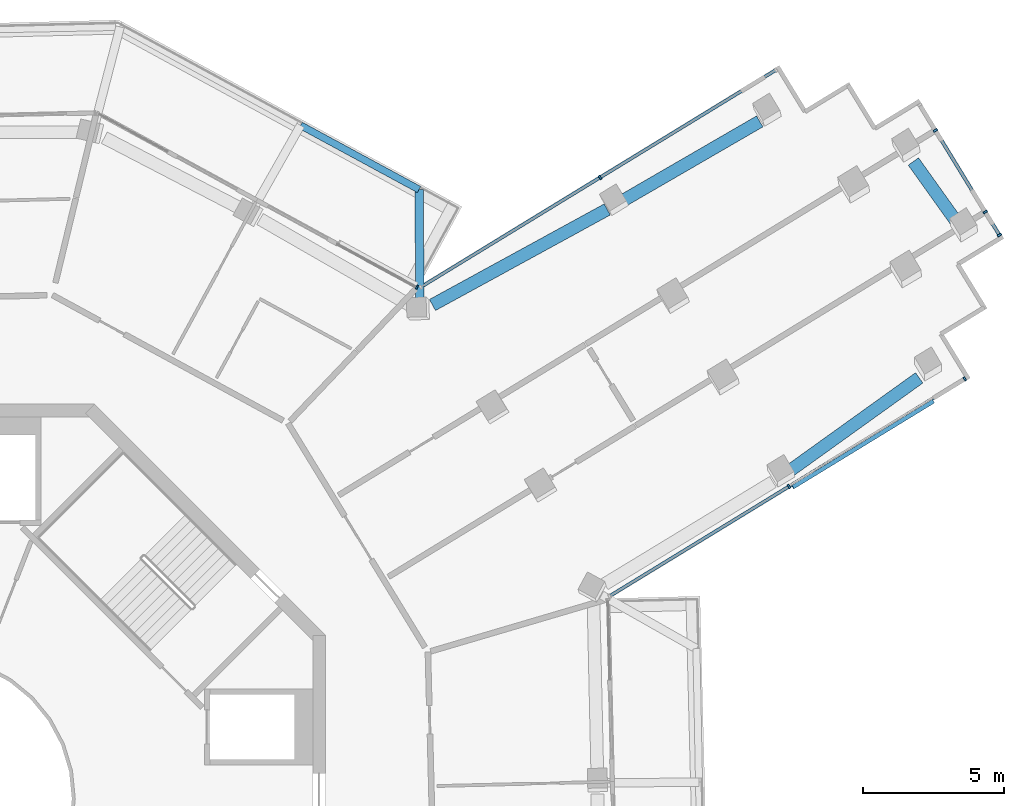
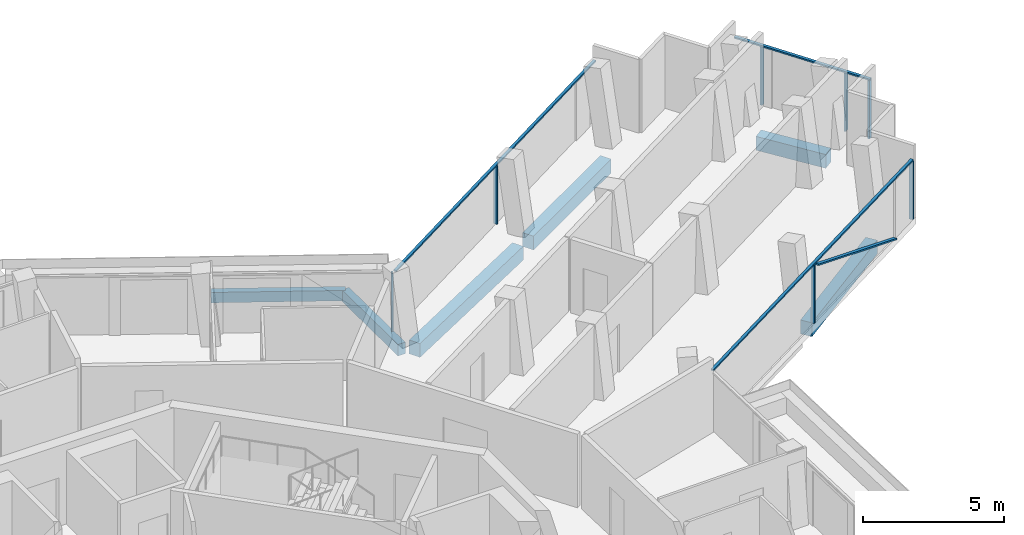
# One storey, part 9 of 26: 11 members, 6 beams, 4 elements without a shape of their own.
"""IFC4 building model written with IfcOpenShell, lengths in metres."""

from ifc_helpers import new_model, si_unit, direction, frame, origin, origin_2d, place, context, subcontext, project, spatial, rectangle, extrude, material, layer, layer_set, material_profile, profile_set, type_object, element, aggregate, save


model = new_model("IFC4")

# Units and contexts
model_context = context("Model", 3, precision=1e-05, world=origin(), true_north=direction((0.0, 1.0)))
body_context = subcontext(model_context, "Body", "Model", "MODEL_VIEW")
ifc_project = project(units=[si_unit("LENGTHUNIT", "METRE"), si_unit("AREAUNIT", "SQUARE_METRE"), si_unit("VOLUMEUNIT", "CUBIC_METRE"), si_unit("PLANEANGLEUNIT", "RADIAN"), si_unit("MASSUNIT", "GRAM", prefix="KILO")], contexts=[model_context])

# Site, building, storey
site_placement = place(None, origin())
site = spatial("IfcSite", under=ifc_project, at=site_placement, CompositionType="ELEMENT")
building_placement = place(site_placement, origin())
building = spatial("IfcBuilding", under=site, at=building_placement, Name="Verdalira Terraces Hotel", CompositionType="ELEMENT")
storey_placement = place(building_placement, frame((0.0, 0.0, 284.5)))
storey = spatial("IfcBuildingStorey", under=building, at=storey_placement, Name="L70", CompositionType="ELEMENT", Elevation=284.5)

# Beams
ifc_material_1 = material(Name="Concrete C40", Category="concrete")
ifc_material_profile_1 = material_profile(ifc_material_1, rectangle(XDim=0.300049, YDim=0.5, at=origin_2d()), Name="RC 300X500")
ifc_profile_set_1 = profile_set([ifc_material_profile_1], Name="Concrete C40")
beam_type_1 = type_object("IfcBeamType", Name="Balcony cantilever beam RC 300X500 C40", PredefinedType="BEAM", material=ifc_profile_set_1)
beam_1_placement = place(storey_placement, frame((17.350586, 17.668701, -0.560059), z_axis=(-0.008405661, 0.999964672, 0.0), x_axis=(-0.999964672, -0.008405661, 0.0)))
element("IfcBeam", 1, at=beam_1_placement, inside=storey, type_object=beam_type_1, Name="Balcony cantilever beam R39-1", PredefinedType="BEAM", context=body_context, shape_type="SweptSolid", body=[
    extrude(rectangle(XDim=0.300049, YDim=0.5, at=origin_2d()), origin(), (0.0, 0.0, 1.0), 3.950195),
])
ifc_material_2 = material(Name="Concrete C40", Category="concrete")
ifc_material_profile_2 = material_profile(ifc_material_2, rectangle(XDim=0.25, YDim=0.449951, at=origin_2d()), Name="RC 250X450")
ifc_profile_set_2 = profile_set([ifc_material_profile_2], Name="Concrete C40")
beam_type_2 = type_object("IfcBeamType", Name="Balcony edge beam RC 250X450 C40", PredefinedType="BEAM", material=ifc_profile_set_2)
beam_2_placement = place(storey_placement, frame((17.317383, 21.618652, -0.534912), z_axis=(-0.879176954, 0.476495417, 0.0), x_axis=(-0.476495417, -0.879176954, 0.0)))
element("IfcBeam", 2, at=beam_2_placement, inside=storey, type_object=beam_type_2, Name="Balcony edge beam R39-1", PredefinedType="BEAM", context=body_context, shape_type="SweptSolid", body=[
    extrude(rectangle(XDim=0.25, YDim=0.449951, at=origin_2d()), origin(), (0.0, 0.0, 1.0), 4.779297),
])

# Curtain wall, member
ifc_material_3 = material(Name="Clear glass", Category="glass")
ifc_layer_1 = layer(ifc_material_3, 0.14990234375)
ifc_layer_set_1 = layer_set([ifc_layer_1], Name="CW1 curtain wall")
curtain_wall_type_1 = type_object("IfcCurtainWallType", Name="CW1 curtain wall", PredefinedType="NOTDEFINED", material=ifc_layer_set_1)
curtain_wall_1_placement = place(storey_placement, origin())
curtain_wall_1 = element("IfcCurtainWall", 3, at=curtain_wall_1_placement, inside=storey, type_object=curtain_wall_type_1, Name="CW1 curtain wall L70 edge 39", PredefinedType="NOTDEFINED")
ifc_material_4 = material(Name="Terracotta frame", Category="masonry")
ifc_material_profile_3 = material_profile(ifc_material_4, rectangle(XDim=0.060059, YDim=0.149902, at=origin_2d()), Name="MU 60x150")
ifc_profile_set_3 = profile_set([ifc_material_profile_3], Name="Terracotta frame")
member_type_1 = type_object("IfcMemberType", Name="CW1 mullion 60x150", PredefinedType="MULLION", material=ifc_profile_set_3)
member_1_placement = place(storey_placement, frame((17.244141, 18.147461, 0.0), z_axis=(0.0, 0.0, 1.0), x_axis=(-0.878316951, 0.478078794, 0.0)))
member_1 = element("IfcMember", 4, at=member_1_placement, type_object=member_type_1, Name="CW1 mullion", PredefinedType="MULLION", context=body_context, shape_type="SweptSolid", body=[
    extrude(rectangle(XDim=0.060059, YDim=0.149902, at=origin_2d()), origin(), (0.0, 0.0, 1.0), 2.524902),
])
aggregate(curtain_wall_1, [member_1])

# Curtain wall, members
ifc_material_5 = material(Name="Clear glass", Category="glass")
ifc_layer_2 = layer(ifc_material_5, 0.14990234375)
ifc_layer_set_2 = layer_set([ifc_layer_2], Name="CW2 curtain wall")
curtain_wall_type_2 = type_object("IfcCurtainWallType", Name="CW2 curtain wall", PredefinedType="NOTDEFINED", material=ifc_layer_set_2)
curtain_wall_2_placement = place(storey_placement, origin())
curtain_wall_2 = element("IfcCurtainWall", 5, at=curtain_wall_2_placement, inside=storey, type_object=curtain_wall_type_2, Name="CW2 curtain wall L70 edge 28", PredefinedType="NOTDEFINED")
ifc_material_6 = material(Name="Terracotta frame", Category="masonry")
ifc_material_profile_4 = material_profile(ifc_material_6, rectangle(XDim=0.070068, YDim=0.149902, at=origin_2d()), Name="MU 70x150")
ifc_profile_set_4 = profile_set([ifc_material_profile_4], Name="Terracotta frame")
member_type_2 = type_object("IfcMemberType", Name="CW2 mullion 70x150", PredefinedType="MULLION", material=ifc_profile_set_4)
member_2_placement = place(storey_placement, frame((30.445312, 11.08252, 0.0), z_axis=(0.0, 0.0, 1.0), x_axis=(0.853186856, 0.521605396, 0.0)))
member_2 = element("IfcMember", 6, at=member_2_placement, type_object=member_type_2, Name="CW2 mullion", PredefinedType="MULLION", context=body_context, shape_type="SweptSolid", body=[
    extrude(rectangle(XDim=0.070068, YDim=0.149902, at=origin_2d()), origin(), (0.0, 0.0, 1.0), 2.524902),
])
member_3_placement = place(storey_placement, frame((36.68457, 14.896973, 0.0), z_axis=(0.0, 0.0, 1.0), x_axis=(0.853186856, 0.521605396, 0.0)))
member_3 = element("IfcMember", 7, at=member_3_placement, type_object=member_type_2, Name="CW2 mullion", PredefinedType="MULLION", context=body_context, shape_type="SweptSolid", body=[
    extrude(rectangle(XDim=0.070068, YDim=0.149902, at=origin_2d()), origin(), (0.0, 0.0, 1.0), 2.524902),
])

# Curtain wall, member
curtain_wall_3_placement = place(storey_placement, origin())
curtain_wall_3 = element("IfcCurtainWall", 8, at=curtain_wall_3_placement, inside=storey, type_object=curtain_wall_type_2, Name="CW2 curtain wall L70 edge 38", PredefinedType="NOTDEFINED")
member_4_placement = place(storey_placement, frame((23.742676, 22.045898, 0.0), z_axis=(0.0, 0.0, 1.0), x_axis=(-0.853186856, -0.521605396, 0.0)))
member_4 = element("IfcMember", 9, at=member_4_placement, type_object=member_type_2, Name="CW2 mullion", PredefinedType="MULLION", context=body_context, shape_type="SweptSolid", body=[
    extrude(rectangle(XDim=0.070068, YDim=0.149902, at=origin_2d()), origin(), (0.0, 0.0, 1.0), 2.524902),
])

# Member
ifc_material_7 = material(Name="Terracotta frame", Category="masonry")
ifc_material_profile_5 = material_profile(ifc_material_7, rectangle(XDim=0.11499, YDim=0.064941, at=origin_2d()), Name="TR 65x115")
ifc_profile_set_5 = profile_set([ifc_material_profile_5], Name="Terracotta frame")
member_type_3 = type_object("IfcMemberType", Name="CW2 transom 65x115", PredefinedType="USERDEFINED", material=ifc_profile_set_5)
member_5_placement = place(storey_placement, frame((24.048096, 7.171631, 2.557617), z_axis=(0.853187103, 0.521604991, 0.0), x_axis=(-0.521604991, 0.853187103, 0.0)))
member_5 = element("IfcMember", 10, at=member_5_placement, type_object=member_type_3, Name="CW2 transom", ObjectType="TRANSOM", PredefinedType="USERDEFINED", context=body_context, shape_type="SweptSolid", body=[
    extrude(rectangle(XDim=0.11499, YDim=0.064941, at=origin_2d()), origin(), (0.0, 0.0, 1.0), 14.845703),
])

member_6_placement = place(storey_placement, frame((30.011719, 25.878662, 2.557617), z_axis=(-0.853187103, -0.521604991, 0.0), x_axis=(0.521604991, -0.853187103, 0.0)))
member_6 = element("IfcMember", 11, at=member_6_placement, type_object=member_type_3, Name="CW2 transom", ObjectType="TRANSOM", PredefinedType="USERDEFINED", context=body_context, shape_type="SweptSolid", body=[
    extrude(rectangle(XDim=0.11499, YDim=0.064941, at=origin_2d()), origin(), (0.0, 0.0, 1.0), 14.845703),
])

aggregate(curtain_wall_3, [member_4, member_6])

# Curtain wall, members
ifc_material_8 = material(Name="Clear glass", Category="glass")
ifc_layer_3 = layer(ifc_material_8, 0.14990234375)
ifc_layer_set_3 = layer_set([ifc_layer_3], Name="CW3 curtain wall")
curtain_wall_type_3 = type_object("IfcCurtainWallType", Name="CW3 curtain wall", PredefinedType="NOTDEFINED", material=ifc_layer_set_3)
curtain_wall_4_placement = place(storey_placement, origin())
curtain_wall_4 = element("IfcCurtainWall", 12, at=curtain_wall_4_placement, inside=storey, type_object=curtain_wall_type_3, Name="CW3 curtain wall L70 edge 33", PredefinedType="NOTDEFINED")
ifc_material_9 = material(Name="Terracotta frame", Category="masonry")
ifc_material_profile_6 = material_profile(ifc_material_9, rectangle(XDim=0.080078, YDim=0.149902, at=origin_2d()), Name="MU 80x150")
ifc_profile_set_6 = profile_set([ifc_material_profile_6], Name="Terracotta frame")
member_type_4 = type_object("IfcMemberType", Name="CW3 mullion 80x150", PredefinedType="MULLION", material=ifc_profile_set_6)
member_7_placement = place(storey_placement, frame((37.912109, 20.001709, 0.0), z_axis=(0.0, 0.0, 1.0), x_axis=(-0.521605396, 0.853186856, 0.0)))
member_7 = element("IfcMember", 13, at=member_7_placement, type_object=member_type_4, Name="CW3 mullion", PredefinedType="MULLION", context=body_context, shape_type="SweptSolid", body=[
    extrude(rectangle(XDim=0.080078, YDim=0.149902, at=origin_2d()), origin(), (0.0, 0.0, 1.0), 2.524902),
])
member_8_placement = place(storey_placement, frame((37.4104, 20.82251, 0.0), z_axis=(0.0, 0.0, 1.0), x_axis=(-0.521605396, 0.853186856, 0.0)))
member_8 = element("IfcMember", 14, at=member_8_placement, type_object=member_type_4, Name="CW3 mullion", PredefinedType="MULLION", context=body_context, shape_type="SweptSolid", body=[
    extrude(rectangle(XDim=0.080078, YDim=0.149902, at=origin_2d()), origin(), (0.0, 0.0, 1.0), 2.524902),
])
member_9_placement = place(storey_placement, frame((35.641357, 23.716064, 0.0), z_axis=(0.0, 0.0, 1.0), x_axis=(-0.521605396, 0.853186856, 0.0)))
member_9 = element("IfcMember", 15, at=member_9_placement, type_object=member_type_4, Name="CW3 mullion", PredefinedType="MULLION", context=body_context, shape_type="SweptSolid", body=[
    extrude(rectangle(XDim=0.080078, YDim=0.149902, at=origin_2d()), origin(), (0.0, 0.0, 1.0), 2.524902),
])
ifc_material_10 = material(Name="Terracotta frame", Category="masonry")
ifc_material_profile_7 = material_profile(ifc_material_10, rectangle(XDim=0.120117, YDim=0.064941, at=origin_2d()), Name="TR 65x120")
ifc_profile_set_7 = profile_set([ifc_material_profile_7], Name="Terracotta frame")
member_type_5 = type_object("IfcMemberType", Name="CW3 transom 65x120", PredefinedType="USERDEFINED", material=ifc_profile_set_7)
member_10_placement = place(storey_placement, frame((37.932861, 19.967529, 2.557617), z_axis=(-0.521573895, 0.853206114, 0.0), x_axis=(-0.853206114, -0.521573895, 0.0)))
member_10 = element("IfcMember", 16, at=member_10_placement, type_object=member_type_5, Name="CW3 transom", ObjectType="TRANSOM", PredefinedType="USERDEFINED", context=body_context, shape_type="SweptSolid", body=[
    extrude(rectangle(XDim=0.120117, YDim=0.064941, at=origin_2d()), origin(), (0.0, 0.0, 1.0), 5.5),
])
aggregate(curtain_wall_4, [member_7, member_8, member_9, member_10])

# Member
ifc_material_11 = material(Name="Terracotta frame", Category="masonry")
ifc_material_profile_8 = material_profile(ifc_material_11, rectangle(XDim=0.149902, YDim=0.060059, at=origin_2d()), Name="GB 60x150")
ifc_profile_set_8 = profile_set([ifc_material_profile_8], Name="Terracotta frame")
member_type_6 = type_object("IfcMemberType", Name="Diagonal glazing bar 60x150", PredefinedType="USERDEFINED", material=ifc_profile_set_8)
member_11_placement = place(storey_placement, frame((30.580078, 11.058105, 2.496582), z_axis=(0.785838708, 0.480446603, -0.389395155), x_axis=(-0.521617453, 0.853179485, 0.0)))
member_11 = element("IfcMember", 17, at=member_11_placement, type_object=member_type_6, Name="Diagonal glazing bar", ObjectType="GLAZING BAR", PredefinedType="USERDEFINED", context=body_context, shape_type="SweptSolid", body=[
    extrude(rectangle(XDim=0.149902, YDim=0.060059, at=origin_2d()), origin(), (0.0, 0.0, 1.0), 6.338623),
])

aggregate(curtain_wall_2, [member_2, member_3, member_5, member_11])

# Beams
ifc_material_12 = material(Name="Concrete C40", Category="concrete")
ifc_material_profile_9 = material_profile(ifc_material_12, rectangle(XDim=0.449951, YDim=0.600098, at=origin_2d()), Name="RC 450X600")
ifc_profile_set_9 = profile_set([ifc_material_profile_9], Name="Concrete C40")
beam_type_3 = type_object("IfcBeamType", Name="Spandrel beam RC 450X600 C40", PredefinedType="SPANDREL", material=ifc_profile_set_9)
beam_3_placement = place(storey_placement, frame((30.488037, 11.648926, -0.610107), z_axis=(0.812396859, 0.583104916, 0.0), x_axis=(-0.583104916, 0.812396859, 0.0)))
element("IfcBeam", 18, at=beam_3_placement, inside=storey, type_object=beam_type_3, Name="Spandrel beam B20", PredefinedType="SPANDREL", context=body_context, shape_type="SweptSolid", body=[
    extrude(rectangle(XDim=0.449951, YDim=0.600098, at=origin_2d()), origin(), (0.0, 0.0, 1.0), 5.636719),
])
beam_4_placement = place(storey_placement, frame((36.446289, 20.391846, -0.610107), z_axis=(-0.581356598, 0.813648884, 0.0), x_axis=(-0.813648884, -0.581356598, 0.0)))
element("IfcBeam", 19, at=beam_4_placement, inside=storey, type_object=beam_type_3, Name="Spandrel beam B21", PredefinedType="SPANDREL", context=body_context, shape_type="SweptSolid", body=[
    extrude(rectangle(XDim=0.449951, YDim=0.600098, at=origin_2d()), origin(), (0.0, 0.0, 1.0), 2.730469),
])
beam_5_placement = place(storey_placement, frame((29.407715, 24.036133, -0.610107), z_axis=(-0.865296399, -0.501260553, 0.0), x_axis=(0.501260553, -0.865296399, 0.0)))
element("IfcBeam", 20, at=beam_5_placement, inside=storey, type_object=beam_type_3, Name="Spandrel beam B22", PredefinedType="SPANDREL", context=body_context, shape_type="SweptSolid", body=[
    extrude(rectangle(XDim=0.449951, YDim=0.600098, at=origin_2d()), origin(), (0.0, 0.0, 1.0), 5.534912),
])
beam_6_placement = place(storey_placement, frame((23.996582, 20.912109, -0.610107), z_axis=(-0.877427926, -0.47970849, 0.0), x_axis=(0.47970849, -0.877427926, 0.0)))
element("IfcBeam", 21, at=beam_6_placement, inside=storey, type_object=beam_type_3, Name="Spandrel beam B23", PredefinedType="SPANDREL", context=body_context, shape_type="SweptSolid", body=[
    extrude(rectangle(XDim=0.449951, YDim=0.600098, at=origin_2d()), origin(), (0.0, 0.0, 1.0), 7.069092),
])

save(model, "model.ifc")
